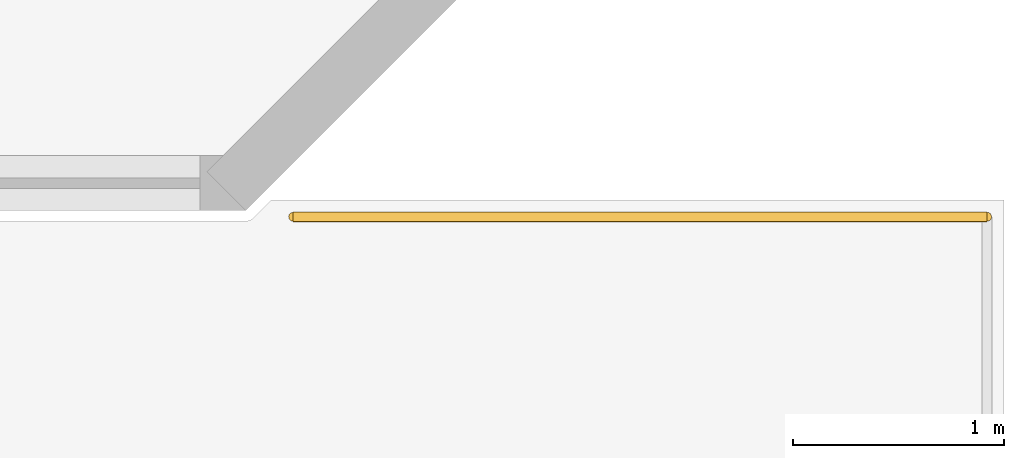
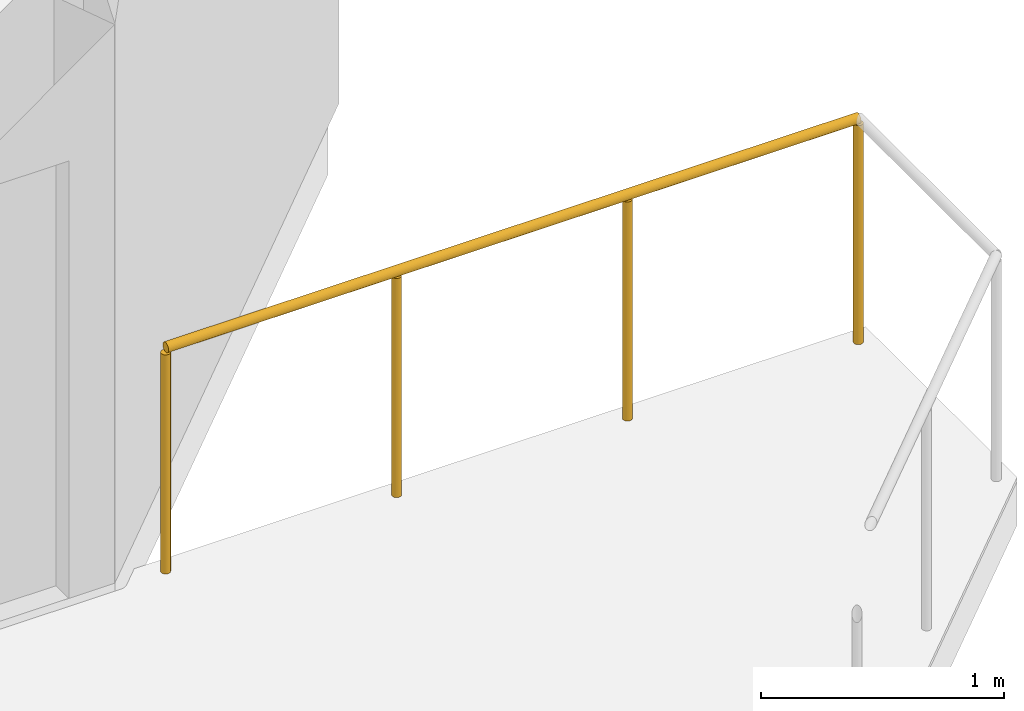
# One storey, part 31 of 31: 1 railing.
"""IFC4 building model written with IfcOpenShell, lengths in metres."""

from ifc_helpers import new_model, si_unit, direction, frame, origin, origin_2d, place, context, subcontext, project, spatial, circle, extrude, material, type_object, element, save


model = new_model("IFC4")

# Units and contexts
model_context = context("Model", 3, precision=1e-05, world=origin(), true_north=direction((0.0, 1.0)))
body_context = subcontext(model_context, "Body", "Model", "MODEL_VIEW")
ifc_project = project(units=[si_unit("LENGTHUNIT", "METRE"), si_unit("AREAUNIT", "SQUARE_METRE"), si_unit("VOLUMEUNIT", "CUBIC_METRE"), si_unit("PLANEANGLEUNIT", "RADIAN"), si_unit("MASSUNIT", "GRAM", prefix="KILO")], contexts=[model_context])

# Site, building, storey
site_placement = place(None, origin())
site = spatial("IfcSite", under=ifc_project, at=site_placement, CompositionType="ELEMENT")
building_placement = place(site_placement, origin())
building = spatial("IfcBuilding", under=site, at=building_placement, Name="Haolan Belvedere Tower", CompositionType="ELEMENT")
storey_placement = place(building_placement, frame((0.0, 0.0, 5.39990234375)))
storey = spatial("IfcBuildingStorey", under=building, at=storey_placement, Name="L01", CompositionType="ELEMENT", Elevation=5.39990234375)

# Railing
ifc_material = material(Name="Anodised aluminium and laminated glass balustrade", Category="aluminium")
railing_type = type_object("IfcRailingType", Name="RL-TER-BAL-1150", PredefinedType="BALUSTRADE", material=ifc_material)
railing_placement = place(storey_placement, frame((73.424560546875, 3.570068359375, 0.0)))
element("IfcRailing", 1, at=railing_placement, inside=storey, type_object=railing_type, Name="L01 outdoor perimeter balustrade TERR-L01-1-2", PredefinedType="BALUSTRADE", context=body_context, shape_type="SweptSolid", body=[
    extrude(circle(Radius=0.02392578125, at=origin_2d()), frame((0.0, 0.0, 1.1259765625), z_axis=(1.0, 0.0, 0.0), x_axis=(0.0, 1.0, 0.0)), (0.0, 0.0, 1.0), 3.29541015625),
    extrude(circle(Radius=0.02099609375, at=origin_2d()), origin(), (0.0, 0.0, 1.0), 1.101806640625),
    extrude(circle(Radius=0.02099609375, at=origin_2d()), frame((1.098388671875, 0.0, 0.0)), (0.0, 0.0, 1.0), 1.101806640625),
    extrude(circle(Radius=0.02099609375, at=origin_2d()), frame((2.197021484375, 0.0, 0.0)), (0.0, 0.0, 1.0), 1.101806640625),
    extrude(circle(Radius=0.02099609375, at=origin_2d()), frame((3.29541015625, 0.0, 0.0)), (0.0, 0.0, 1.0), 1.101806640625),
])

save(model, "model.ifc")
